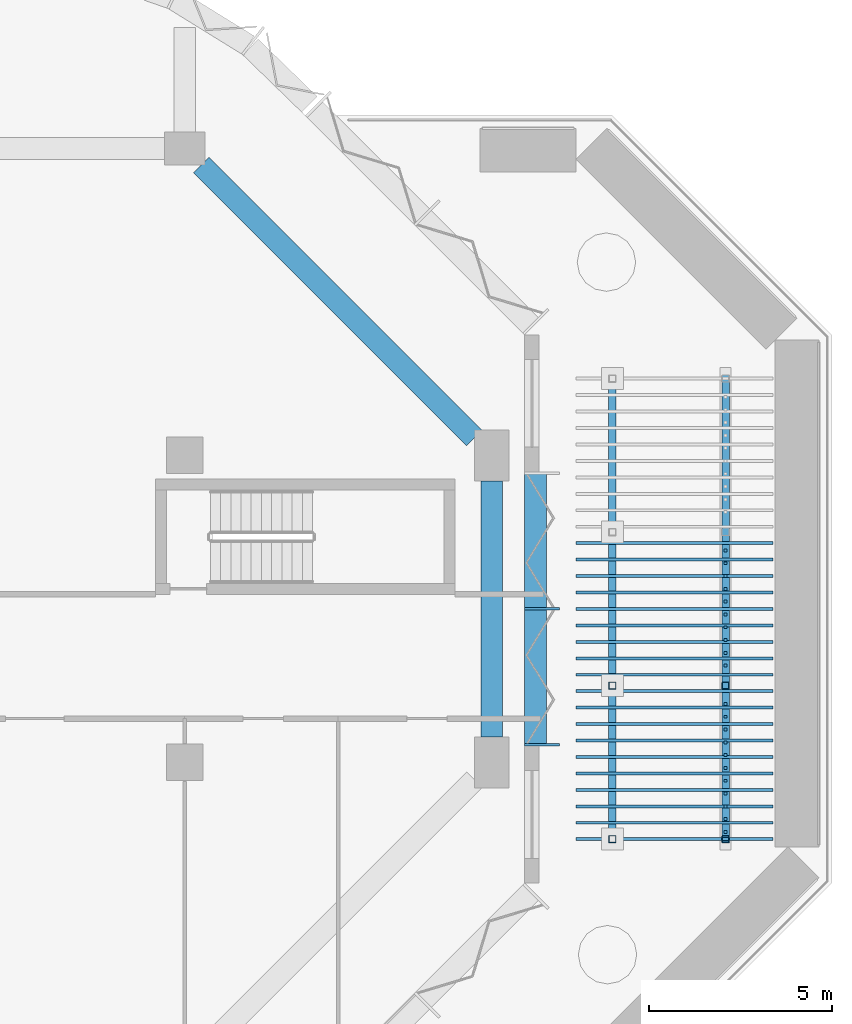
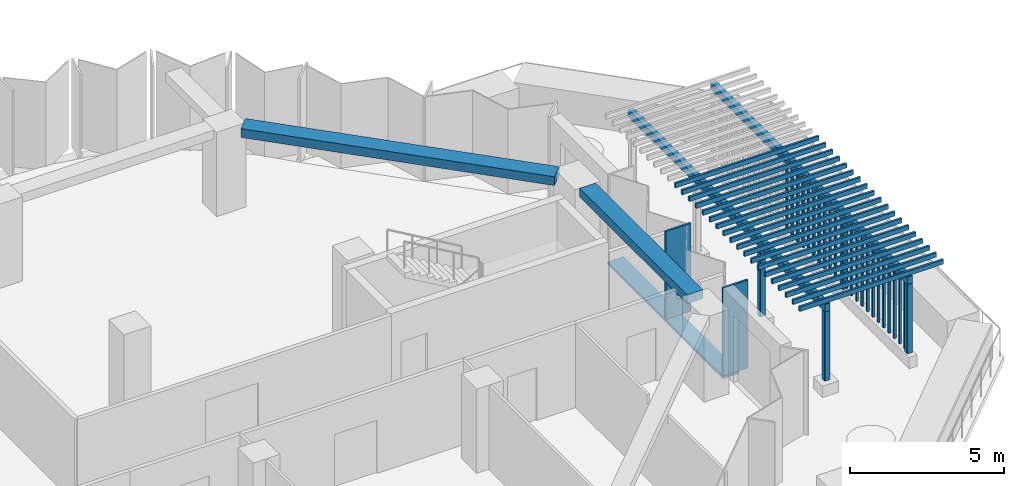
# One storey, part 2 of 14: 49 members, 2 beams, 1 element without a shape of its own.
"""IFC4 building model written with IfcOpenShell, lengths in metres."""

from ifc_helpers import new_model, si_unit, direction, frame, origin, origin_2d, place, context, subcontext, project, spatial, rectangle, hollow_rectangle, extrude, material, material_profile, profile_set, type_object, element, aggregate, save


model = new_model("IFC4")

# Units and contexts
model_context = context("Model", 3, precision=1e-05, world=origin(), true_north=direction((0.0, 1.0)))
body_context = subcontext(model_context, "Body", "Model", "MODEL_VIEW")
ifc_project = project(units=[si_unit("LENGTHUNIT", "METRE"), si_unit("AREAUNIT", "SQUARE_METRE"), si_unit("VOLUMEUNIT", "CUBIC_METRE"), si_unit("PLANEANGLEUNIT", "RADIAN"), si_unit("MASSUNIT", "GRAM", prefix="KILO")], contexts=[model_context])

# Site, building, storey
site_placement = place(None, origin())
site = spatial("IfcSite", under=ifc_project, at=site_placement, CompositionType="ELEMENT")
building_placement = place(site_placement, origin())
building = spatial("IfcBuilding", under=site, at=building_placement, Name="Brevane Broadcast Tower", CompositionType="ELEMENT")
storey_placement = place(building_placement, frame((0.0, 0.0, 184.800048828125)))
storey = spatial("IfcBuildingStorey", under=building, at=storey_placement, Name="L46", CompositionType="ELEMENT", Elevation=184.800048828125)

# Curtain wall, members
ifc_material_1 = material(Name="Aluminium 6063-T6 bronze anodised", Category="aluminium")
curtain_wall_type = type_object("IfcCurtainWallType", Name="CW-1 curtain wall", PredefinedType="NOTDEFINED", material=ifc_material_1)
curtain_wall_placement = place(storey_placement, origin())
curtain_wall = element("IfcCurtainWall", 1, at=curtain_wall_placement, inside=storey, type_object=curtain_wall_type, Name="CW-1 typical tilted unit L46 east end", PredefinedType="NOTDEFINED")
ifc_material_profile_1 = material_profile(ifc_material_1, rectangle(XDim=0.949951171875, YDim=0.070068359375, at=origin_2d()), Name="RECT 70x950")
ifc_profile_set_1 = profile_set([ifc_material_profile_1], Name="Aluminium 6063-T6 bronze anodised")
member_type_1 = type_object("IfcMemberType", Name="CW-1 mullion 70x950", PredefinedType="MULLION", material=ifc_profile_set_1)
member_1_placement = place(storey_placement, frame((51.77490234375, 8.885009765625, -0.150146484375), z_axis=(0.0, 0.0, 1.0), x_axis=(-1.0, 0.0, 0.0)))
member_1 = element("IfcMember", 2, at=member_1_placement, type_object=member_type_1, Name="CW-1 mullion", PredefinedType="MULLION", context=body_context, shape_type="SweptSolid", body=[
    extrude(rectangle(XDim=0.949951171875, YDim=0.070068359375, at=origin_2d()), origin(), (0.0, 0.0, 1.0), 3.5),
])
member_2_placement = place(storey_placement, frame((51.77490234375, 12.60009765625, -0.150146484375), z_axis=(0.0, 0.0, 1.0), x_axis=(-1.0, 0.0, 0.0)))
member_2 = element("IfcMember", 3, at=member_2_placement, type_object=member_type_1, Name="CW-1 mullion", PredefinedType="MULLION", context=body_context, shape_type="SweptSolid", body=[
    extrude(rectangle(XDim=0.949951171875, YDim=0.070068359375, at=origin_2d()), origin(), (0.0, 0.0, 1.0), 3.5),
])
ifc_material_profile_2 = material_profile(ifc_material_1, rectangle(XDim=0.60009765625, YDim=0.10009765625, at=origin_2d()), Name="RECT 100x600")
ifc_profile_set_2 = profile_set([ifc_material_profile_2], Name="Aluminium 6063-T6 bronze anodised")
member_type_2 = type_object("IfcMemberType", Name="CW-1 transom 100x600", PredefinedType="USERDEFINED", material=ifc_profile_set_2)
member_3_placement = place(storey_placement, frame((51.60009765625, 8.85009765625, -0.199951171875), z_axis=(0.0, 1.0, 0.0), x_axis=(-1.0, 0.0, 0.0)))
member_3 = element("IfcMember", 4, at=member_3_placement, type_object=member_type_2, Name="CW-1 transom", ObjectType="TRANSOM", PredefinedType="USERDEFINED", context=body_context, shape_type="SweptSolid", body=[
    extrude(rectangle(XDim=0.60009765625, YDim=0.10009765625, at=origin_2d()), origin(), (0.0, 0.0, 1.0), 7.5),
])
aggregate(curtain_wall, [member_1, member_2, member_3])

# Beams
ifc_material_2 = material(Name="Concrete C40/50", Category="concrete")
ifc_material_profile_3 = material_profile(ifc_material_2, rectangle(XDim=0.60009765625, YDim=0.35009765625, at=origin_2d()), Name="RC 600x350")
ifc_profile_set_3 = profile_set([ifc_material_profile_3], Name="Concrete C40/50")
beam_type = type_object("IfcBeamType", Name="RC SPANDREL BEAM 600x350 C40/50", PredefinedType="SPANDREL", material=ifc_profile_set_3)
beam_1_placement = place(storey_placement, frame((50.39990234375, 9.10009765625, 3.175048828125), z_axis=(0.0, 1.0, 0.0), x_axis=(-1.0, 0.0, 0.0)))
element("IfcBeam", 5, at=beam_1_placement, inside=storey, type_object=beam_type, Name="EB1 L46-4", PredefinedType="SPANDREL", context=body_context, shape_type="SweptSolid", body=[
    extrude(rectangle(XDim=0.60009765625, YDim=0.35009765625, at=origin_2d()), origin(), (0.0, 0.0, 1.0), 7.0),
])
beam_2_placement = place(storey_placement, frame((49.925048828125, 17.27490234375, 3.175048828125), z_axis=(-0.707106781187, 0.707106781187, 0.0), x_axis=(-0.707106781187, -0.707106781187, 0.0)))
element("IfcBeam", 6, at=beam_2_placement, inside=storey, type_object=beam_type, Name="EB1 L46-5", PredefinedType="SPANDREL", context=body_context, shape_type="SweptSolid", body=[
    extrude(rectangle(XDim=0.60009765625, YDim=0.35009765625, at=origin_2d()), origin(), (0.0, 0.0, 1.0), 10.5712890625),
])

# Members
ifc_material_3 = material(Name="Steel S355", Category="steel")
ifc_material_profile_4 = material_profile(ifc_material_3, hollow_rectangle(XDim=0.199951171875, YDim=0.199951171875, WallThickness=0.010009765625, InnerFilletRadius=0.010009765625, OuterFilletRadius=0.02001953125, at=origin_2d()), Name="RHS 200x200x10")
ifc_profile_set_4 = profile_set([ifc_material_profile_4], Name="Steel S355")
member_type_3 = type_object("IfcMemberType", Name="Sky garden pergola post RHS 200x200x10 S355", PredefinedType="POST", material=ifc_profile_set_4)
for number, where, z_axis, x_axis, name in (
    (7, (53.699951171875, 6.300048828125, 0.449951171875), (0.0, 0.0, 1.0), (1.0, 0.0, 0.0), "Sky garden trellis post L46-1"),
    (8, (53.699951171875, 10.5, 0.449951171875), (0.0, 0.0, 1.0), (1.0, 0.0, 0.0), "Sky garden trellis post L46-2"),
    (9, (56.800048828125, 6.300048828125, 0.449951171875), (0.0, 0.0, 1.0), (1.0, 0.0, 0.0), "Sky garden trellis post L46-5"),
    (10, (56.800048828125, 10.5, 0.449951171875), (0.0, 0.0, 1.0), (1.0, 0.0, 0.0), "Sky garden trellis post L46-6"),
):
    element("IfcMember", number, at=place(storey_placement, frame(where, z_axis=z_axis, x_axis=x_axis)), inside=storey, type_object=member_type_3, Name=name, PredefinedType="POST", context=body_context, shape_type="SweptSolid", body=[
        extrude(hollow_rectangle(XDim=0.199951171875, YDim=0.199951171875, WallThickness=0.010009765625, InnerFilletRadius=0.010009765625, OuterFilletRadius=0.02001953125, at=origin_2d()), origin(), (0.0, 0.0, 1.0), 2.75),
    ])
ifc_material_4 = material(Name="Glulam GL28h", Category="wood")
ifc_material_profile_5 = material_profile(ifc_material_4, rectangle(XDim=0.199951171875, YDim=0.300048828125, at=origin_2d()), Name="RECT 200x300")
ifc_profile_set_5 = profile_set([ifc_material_profile_5], Name="Glulam GL28h")
member_type_4 = type_object("IfcMemberType", Name="Sky garden trellis beam glulam 200x300 GL28h", PredefinedType="USERDEFINED", material=ifc_profile_set_5)
for number, where, z_axis, x_axis, name in (
    (11, (53.699951171875, 6.199951171875, 3.349853515625), (0.0, 1.0, 0.0), (-1.0, 0.0, 0.0), "Sky garden trellis beam L46-1"),
    (12, (56.800048828125, 6.199951171875, 3.349853515625), (0.0, 1.0, 0.0), (-1.0, 0.0, 0.0), "Sky garden trellis beam L46-2"),
):
    element("IfcMember", number, at=place(storey_placement, frame(where, z_axis=z_axis, x_axis=x_axis)), inside=storey, type_object=member_type_4, Name=name, ObjectType="TRELLIS BEAM", PredefinedType="USERDEFINED", context=body_context, shape_type="SweptSolid", body=[
        extrude(rectangle(XDim=0.199951171875, YDim=0.300048828125, at=origin_2d()), origin(), (0.0, 0.0, 1.0), 12.800048828125),
    ])
ifc_material_profile_6 = material_profile(ifc_material_4, rectangle(XDim=0.080078125, YDim=0.179931640625, at=origin_2d()), Name="RECT 80x180")
ifc_profile_set_6 = profile_set([ifc_material_profile_6], Name="Glulam GL28h")
member_type_5 = type_object("IfcMemberType", Name="Sky garden trellis rafter glulam 80x180 GL28h", PredefinedType="USERDEFINED", material=ifc_profile_set_6)
for number, where, z_axis, x_axis, name in (
    (13, (52.699951171875, 6.300048828125, 3.58984375), (1.0, 0.0, 0.0), (0.0, 1.0, 0.0), "Sky garden trellis rafter L46-1"),
    (14, (52.699951171875, 6.75, 3.58984375), (1.0, 0.0, 0.0), (0.0, 1.0, 0.0), "Sky garden trellis rafter L46-2"),
    (15, (52.699951171875, 7.199951171875, 3.58984375), (1.0, 0.0, 0.0), (0.0, 1.0, 0.0), "Sky garden trellis rafter L46-3"),
    (16, (52.699951171875, 7.64990234375, 3.58984375), (1.0, 0.0, 0.0), (0.0, 1.0, 0.0), "Sky garden trellis rafter L46-4"),
    (17, (52.699951171875, 8.10009765625, 3.58984375), (1.0, 0.0, 0.0), (0.0, 1.0, 0.0), "Sky garden trellis rafter L46-5"),
    (18, (52.699951171875, 8.550048828125, 3.58984375), (1.0, 0.0, 0.0), (0.0, 1.0, 0.0), "Sky garden trellis rafter L46-6"),
    (19, (52.699951171875, 9.0, 3.58984375), (1.0, 0.0, 0.0), (0.0, 1.0, 0.0), "Sky garden trellis rafter L46-7"),
    (20, (52.699951171875, 9.449951171875, 3.58984375), (1.0, 0.0, 0.0), (0.0, 1.0, 0.0), "Sky garden trellis rafter L46-8"),
    (21, (52.699951171875, 9.89990234375, 3.58984375), (1.0, 0.0, 0.0), (0.0, 1.0, 0.0), "Sky garden trellis rafter L46-9"),
    (22, (52.699951171875, 10.35009765625, 3.58984375), (1.0, 0.0, 0.0), (0.0, 1.0, 0.0), "Sky garden trellis rafter L46-10"),
    (23, (52.699951171875, 10.800048828125, 3.58984375), (1.0, 0.0, 0.0), (0.0, 1.0, 0.0), "Sky garden trellis rafter L46-11"),
    (24, (52.699951171875, 11.25, 3.58984375), (1.0, 0.0, 0.0), (0.0, 1.0, 0.0), "Sky garden trellis rafter L46-12"),
    (25, (52.699951171875, 11.699951171875, 3.58984375), (1.0, 0.0, 0.0), (0.0, 1.0, 0.0), "Sky garden trellis rafter L46-13"),
    (26, (52.699951171875, 12.14990234375, 3.58984375), (1.0, 0.0, 0.0), (0.0, 1.0, 0.0), "Sky garden trellis rafter L46-14"),
    (27, (52.699951171875, 12.60009765625, 3.58984375), (1.0, 0.0, 0.0), (0.0, 1.0, 0.0), "Sky garden trellis rafter L46-15"),
    (28, (52.699951171875, 13.050048828125, 3.58984375), (1.0, 0.0, 0.0), (0.0, 1.0, 0.0), "Sky garden trellis rafter L46-16"),
    (29, (52.699951171875, 13.5, 3.58984375), (1.0, 0.0, 0.0), (0.0, 1.0, 0.0), "Sky garden trellis rafter L46-17"),
    (30, (52.699951171875, 13.949951171875, 3.58984375), (1.0, 0.0, 0.0), (0.0, 1.0, 0.0), "Sky garden trellis rafter L46-18"),
    (31, (52.699951171875, 14.39990234375, 3.58984375), (1.0, 0.0, 0.0), (0.0, 1.0, 0.0), "Sky garden trellis rafter L46-19"),
):
    element("IfcMember", number, at=place(storey_placement, frame(where, z_axis=z_axis, x_axis=x_axis)), inside=storey, type_object=member_type_5, Name=name, ObjectType="TRELLIS RAFTER", PredefinedType="USERDEFINED", context=body_context, shape_type="SweptSolid", body=[
        extrude(rectangle(XDim=0.080078125, YDim=0.179931640625, at=origin_2d()), origin(), (0.0, 0.0, 1.0), 5.400146484375),
    ])
ifc_material_profile_7 = material_profile(ifc_material_4, rectangle(XDim=0.080078125, YDim=0.080078125, at=origin_2d()), Name="RECT 80x80")
ifc_profile_set_7 = profile_set([ifc_material_profile_7], Name="Glulam GL28h")
member_type_6 = type_object("IfcMemberType", Name="Sky garden trellis slat glulam 80x80 GL28h", PredefinedType="USERDEFINED", material=ifc_profile_set_7)
for number, where, z_axis, x_axis, name in (
    (32, (56.800048828125, 6.5, 0.449951171875), (0.0, 0.0, 1.0), (1.0, 0.0, 0.0), "Sky garden trellis slat L46-1"),
    (33, (56.800048828125, 6.85009765625, 0.449951171875), (0.0, 0.0, 1.0), (1.0, 0.0, 0.0), "Sky garden trellis slat L46-2"),
    (34, (56.800048828125, 7.199951171875, 0.449951171875), (0.0, 0.0, 1.0), (1.0, 0.0, 0.0), "Sky garden trellis slat L46-3"),
    (35, (56.800048828125, 7.550048828125, 0.449951171875), (0.0, 0.0, 1.0), (1.0, 0.0, 0.0), "Sky garden trellis slat L46-4"),
    (36, (56.800048828125, 7.89990234375, 0.449951171875), (0.0, 0.0, 1.0), (1.0, 0.0, 0.0), "Sky garden trellis slat L46-5"),
    (37, (56.800048828125, 8.25, 0.449951171875), (0.0, 0.0, 1.0), (1.0, 0.0, 0.0), "Sky garden trellis slat L46-6"),
    (38, (56.800048828125, 8.60009765625, 0.449951171875), (0.0, 0.0, 1.0), (1.0, 0.0, 0.0), "Sky garden trellis slat L46-7"),
    (39, (56.800048828125, 8.949951171875, 0.449951171875), (0.0, 0.0, 1.0), (1.0, 0.0, 0.0), "Sky garden trellis slat L46-8"),
    (40, (56.800048828125, 9.300048828125, 0.449951171875), (0.0, 0.0, 1.0), (1.0, 0.0, 0.0), "Sky garden trellis slat L46-9"),
    (41, (56.800048828125, 9.64990234375, 0.449951171875), (0.0, 0.0, 1.0), (1.0, 0.0, 0.0), "Sky garden trellis slat L46-10"),
    (42, (56.800048828125, 10.0, 0.449951171875), (0.0, 0.0, 1.0), (1.0, 0.0, 0.0), "Sky garden trellis slat L46-11"),
    (43, (56.800048828125, 11.050048828125, 0.449951171875), (0.0, 0.0, 1.0), (1.0, 0.0, 0.0), "Sky garden trellis slat L46-12"),
    (44, (56.800048828125, 11.39990234375, 0.449951171875), (0.0, 0.0, 1.0), (1.0, 0.0, 0.0), "Sky garden trellis slat L46-13"),
    (45, (56.800048828125, 11.75, 0.449951171875), (0.0, 0.0, 1.0), (1.0, 0.0, 0.0), "Sky garden trellis slat L46-14"),
    (46, (56.800048828125, 12.10009765625, 0.449951171875), (0.0, 0.0, 1.0), (1.0, 0.0, 0.0), "Sky garden trellis slat L46-15"),
    (47, (56.800048828125, 12.449951171875, 0.449951171875), (0.0, 0.0, 1.0), (1.0, 0.0, 0.0), "Sky garden trellis slat L46-16"),
    (48, (56.800048828125, 12.800048828125, 0.449951171875), (0.0, 0.0, 1.0), (1.0, 0.0, 0.0), "Sky garden trellis slat L46-17"),
    (49, (56.800048828125, 13.14990234375, 0.449951171875), (0.0, 0.0, 1.0), (1.0, 0.0, 0.0), "Sky garden trellis slat L46-18"),
    (50, (56.800048828125, 13.5, 0.449951171875), (0.0, 0.0, 1.0), (1.0, 0.0, 0.0), "Sky garden trellis slat L46-19"),
    (51, (56.800048828125, 13.85009765625, 0.449951171875), (0.0, 0.0, 1.0), (1.0, 0.0, 0.0), "Sky garden trellis slat L46-20"),
    (52, (56.800048828125, 14.199951171875, 0.449951171875), (0.0, 0.0, 1.0), (1.0, 0.0, 0.0), "Sky garden trellis slat L46-21"),
):
    element("IfcMember", number, at=place(storey_placement, frame(where, z_axis=z_axis, x_axis=x_axis)), inside=storey, type_object=member_type_6, Name=name, ObjectType="TRELLIS SLAT", PredefinedType="USERDEFINED", context=body_context, shape_type="SweptSolid", body=[
        extrude(rectangle(XDim=0.080078125, YDim=0.080078125, at=origin_2d()), origin(), (0.0, 0.0, 1.0), 2.75),
    ])

save(model, "model.ifc")
